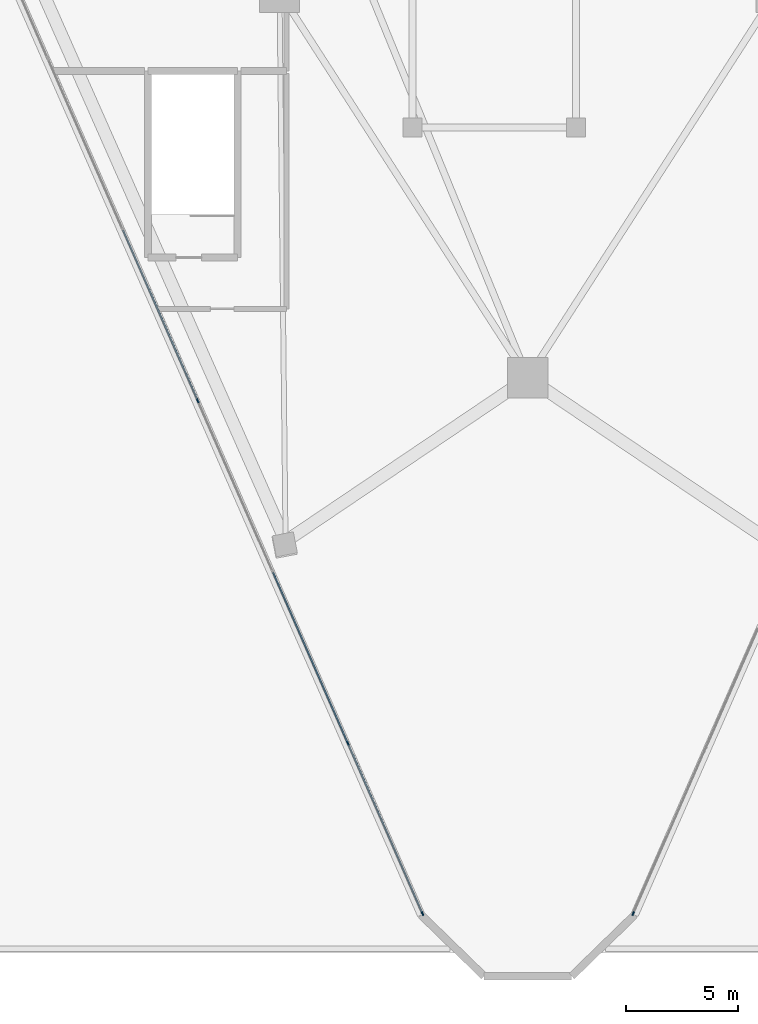
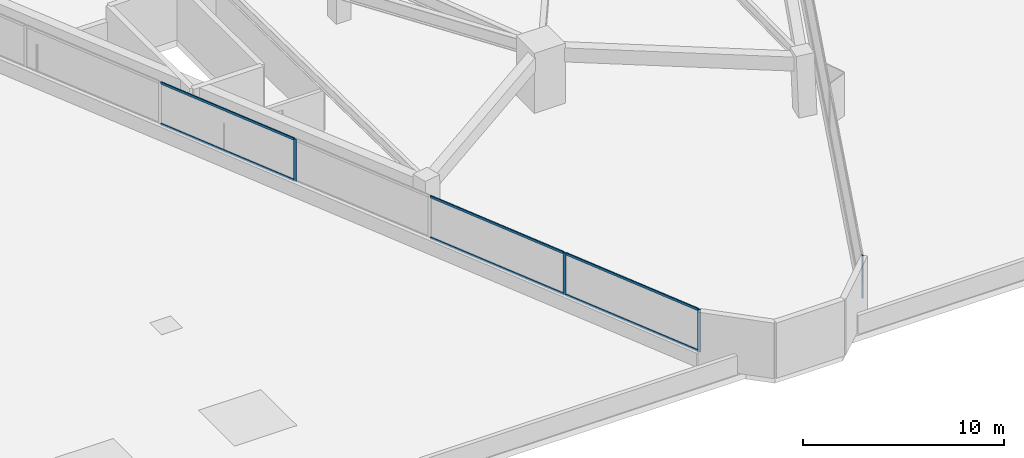
# One storey, part 2 of 21: 10 members, 2 elements without a shape of their own.
"""IFC4 building model written with IfcOpenShell, lengths in metres."""

from ifc_helpers import new_model, si_unit, direction, frame, origin, origin_2d, place, context, subcontext, project, spatial, rectangle, extrude, material, layer, layer_set, material_profile, profile_set, type_object, element, aggregate, save


model = new_model("IFC4")

# Units and contexts
model_context = context("Model", 3, precision=1e-05, world=origin(), true_north=direction((0.0, 1.0)))
body_context = subcontext(model_context, "Body", "Model", "MODEL_VIEW")
ifc_project = project(units=[si_unit("LENGTHUNIT", "METRE"), si_unit("AREAUNIT", "SQUARE_METRE"), si_unit("VOLUMEUNIT", "CUBIC_METRE"), si_unit("PLANEANGLEUNIT", "RADIAN"), si_unit("MASSUNIT", "GRAM", prefix="KILO")], contexts=[model_context])

# Site, building, storey
site_placement = place(None, origin())
site = spatial("IfcSite", under=ifc_project, at=site_placement, CompositionType="ELEMENT")
building_placement = place(site_placement, origin())
building = spatial("IfcBuilding", under=site, at=building_placement, Name="Talyreon Biosciences Tower", CompositionType="ELEMENT")
storey_placement = place(building_placement, frame((0.0, 0.0, 22.800048828125)))
storey = spatial("IfcBuildingStorey", under=building, at=storey_placement, Name="L05", CompositionType="ELEMENT", Elevation=22.800048828125)

# Curtain wall, members
ifc_material_1 = material(Name="Thermally broken aluminium and low-E glazing", Category="aluminium")
ifc_layer = layer(ifc_material_1, 0.195068359375)
ifc_layer_set = layer_set([ifc_layer], Name="Thermally broken aluminium and low-E glazing")
curtain_wall_type = type_object("IfcCurtainWallType", Name="CurtainWall_Zone1WetLab", PredefinedType="NOTDEFINED", material=ifc_layer_set)
curtain_wall_1_placement = place(storey_placement, origin())
curtain_wall_1 = element("IfcCurtainWall", 1, at=curtain_wall_1_placement, inside=storey, type_object=curtain_wall_type, Name="L05 Unitised Curtain Wall FCW-L05-00A", PredefinedType="NOTDEFINED")
ifc_material_2 = material(Name="Anodised thermally broken aluminium", Category="aluminium")
ifc_material_profile_1 = material_profile(ifc_material_2, rectangle(XDim=0.06494140625, YDim=0.179931640625, at=origin_2d()), Name="ALUM MULLION 65x180")
ifc_profile_set_1 = profile_set([ifc_material_profile_1], Name="Anodised thermally broken aluminium")
member_type_1 = type_object("IfcMemberType", Name="CWMullion_65x180", PredefinedType="MULLION", material=ifc_profile_set_1)
member_1_placement = place(storey_placement, frame((61.29736328125, 17.751220703125, 0.81005859375), z_axis=(0.0, 0.0, 1.0), x_axis=(-0.915927065786, -0.401344752253, 0.0)))
member_1 = element("IfcMember", 2, at=member_1_placement, type_object=member_type_1, Name="CW2 mullion 1", PredefinedType="MULLION", context=body_context, shape_type="SweptSolid", body=[
    extrude(rectangle(XDim=0.06494140625, YDim=0.179931640625, at=origin_2d()), origin(), (0.0, 0.0, 1.0), 2.56494140625),
])
member_2_placement = place(storey_placement, frame((57.962890625, 25.361328125, 0.81005859375), z_axis=(0.0, 0.0, 1.0), x_axis=(-0.915927065786, -0.401344752253, 0.0)))
member_2 = element("IfcMember", 3, at=member_2_placement, type_object=member_type_1, Name="CW2 mullion 2", PredefinedType="MULLION", context=body_context, shape_type="SweptSolid", body=[
    extrude(rectangle(XDim=0.06494140625, YDim=0.179931640625, at=origin_2d()), origin(), (0.0, 0.0, 1.0), 2.56494140625),
])
member_3_placement = place(storey_placement, frame((51.267333984375, 40.64111328125, 0.81005859375), z_axis=(0.0, 0.0, 1.0), x_axis=(-0.915927065786, -0.401344752253, 0.0)))
member_3 = element("IfcMember", 4, at=member_3_placement, type_object=member_type_1, Name="CW2 mullion 4", PredefinedType="MULLION", context=body_context, shape_type="SweptSolid", body=[
    extrude(rectangle(XDim=0.06494140625, YDim=0.179931640625, at=origin_2d()), origin(), (0.0, 0.0, 1.0), 2.56494140625),
])

# Curtain wall, member
curtain_wall_2_placement = place(storey_placement, origin())
curtain_wall_2 = element("IfcCurtainWall", 5, at=curtain_wall_2_placement, inside=storey, type_object=curtain_wall_type, Name="L05 Unitised Curtain Wall FCW-L05-08", PredefinedType="NOTDEFINED")
member_4_placement = place(storey_placement, frame((70.70263671875, 17.751220703125, 0.81005859375), z_axis=(0.0, 0.0, 1.0), x_axis=(0.915926900592, -0.401345129249, 0.0)))
member_4 = element("IfcMember", 6, at=member_4_placement, type_object=member_type_1, Name="CW2 mullion 6", PredefinedType="MULLION", context=body_context, shape_type="SweptSolid", body=[
    extrude(rectangle(XDim=0.06494140625, YDim=0.179931640625, at=origin_2d()), origin(), (0.0, 0.0, 1.0), 2.56494140625),
])
aggregate(curtain_wall_2, [member_4])

# Member
ifc_material_profile_2 = material_profile(ifc_material_2, rectangle(XDim=0.06494140625, YDim=0.139892578125, at=origin_2d()), Name="ALUM TRANSOM 65x140")
ifc_profile_set_2 = profile_set([ifc_material_profile_2], Name="Anodised thermally broken aluminium")
member_type_2 = type_object("IfcMemberType", Name="CWTransom_65x140", PredefinedType="USERDEFINED", material=ifc_profile_set_2)
member_5_placement = place(storey_placement, frame((61.284423828125, 17.781005859375, 0.842529296875), z_axis=(-0.401351654201, 0.91592404143, 0.0), x_axis=(-0.91592404143, -0.401351654201, 0.0)))
member_5 = element("IfcMember", 7, at=member_5_placement, type_object=member_type_2, Name="CW2 transom 1.1", ObjectType="TRANSOM", PredefinedType="USERDEFINED", context=body_context, shape_type="SweptSolid", body=[
    extrude(rectangle(XDim=0.06494140625, YDim=0.139892578125, at=origin_2d()), origin(), (0.0, 0.0, 1.0), 8.24365234375),
])

member_6_placement = place(storey_placement, frame((61.284423828125, 17.781005859375, 3.342529296875), z_axis=(-0.401351654201, 0.91592404143, 0.0), x_axis=(-0.91592404143, -0.401351654201, 0.0)))
member_6 = element("IfcMember", 8, at=member_6_placement, type_object=member_type_2, Name="CW2 transom 1.2", ObjectType="TRANSOM", PredefinedType="USERDEFINED", context=body_context, shape_type="SweptSolid", body=[
    extrude(rectangle(XDim=0.06494140625, YDim=0.139892578125, at=origin_2d()), origin(), (0.0, 0.0, 1.0), 8.24365234375),
])

member_7_placement = place(storey_placement, frame((57.94970703125, 25.39111328125, 0.842529296875), z_axis=(-0.401340281012, 0.915929025, 0.0), x_axis=(-0.915929025, -0.401340281012, 0.0)))
member_7 = element("IfcMember", 9, at=member_7_placement, type_object=member_type_2, Name="CW2 transom 2.1", ObjectType="TRANSOM", PredefinedType="USERDEFINED", context=body_context, shape_type="SweptSolid", body=[
    extrude(rectangle(XDim=0.06494140625, YDim=0.139892578125, at=origin_2d()), origin(), (0.0, 0.0, 1.0), 8.276123046875),
])

member_8_placement = place(storey_placement, frame((57.94970703125, 25.39111328125, 3.342529296875), z_axis=(-0.401340281012, 0.915929025, 0.0), x_axis=(-0.915929025, -0.401340281012, 0.0)))
member_8 = element("IfcMember", 10, at=member_8_placement, type_object=member_type_2, Name="CW2 transom 2.2", ObjectType="TRANSOM", PredefinedType="USERDEFINED", context=body_context, shape_type="SweptSolid", body=[
    extrude(rectangle(XDim=0.06494140625, YDim=0.139892578125, at=origin_2d()), origin(), (0.0, 0.0, 1.0), 8.276123046875),
])

member_9_placement = place(storey_placement, frame((51.25439453125, 40.6708984375, 0.842529296875), z_axis=(-0.401340281012, 0.915929025, 0.0), x_axis=(-0.915929025, -0.401340281012, 0.0)))
member_9 = element("IfcMember", 11, at=member_9_placement, type_object=member_type_2, Name="CW2 transom 4.1", ObjectType="TRANSOM", PredefinedType="USERDEFINED", context=body_context, shape_type="SweptSolid", body=[
    extrude(rectangle(XDim=0.06494140625, YDim=0.139892578125, at=origin_2d()), origin(), (0.0, 0.0, 1.0), 8.276123046875),
])

member_10_placement = place(storey_placement, frame((51.25439453125, 40.6708984375, 3.342529296875), z_axis=(-0.401340281012, 0.915929025, 0.0), x_axis=(-0.915929025, -0.401340281012, 0.0)))
member_10 = element("IfcMember", 12, at=member_10_placement, type_object=member_type_2, Name="CW2 transom 4.2", ObjectType="TRANSOM", PredefinedType="USERDEFINED", context=body_context, shape_type="SweptSolid", body=[
    extrude(rectangle(XDim=0.06494140625, YDim=0.139892578125, at=origin_2d()), origin(), (0.0, 0.0, 1.0), 8.276123046875),
])

aggregate(curtain_wall_1, [member_1, member_2, member_3, member_5, member_6, member_7, member_8, member_9, member_10])

save(model, "model.ifc")
